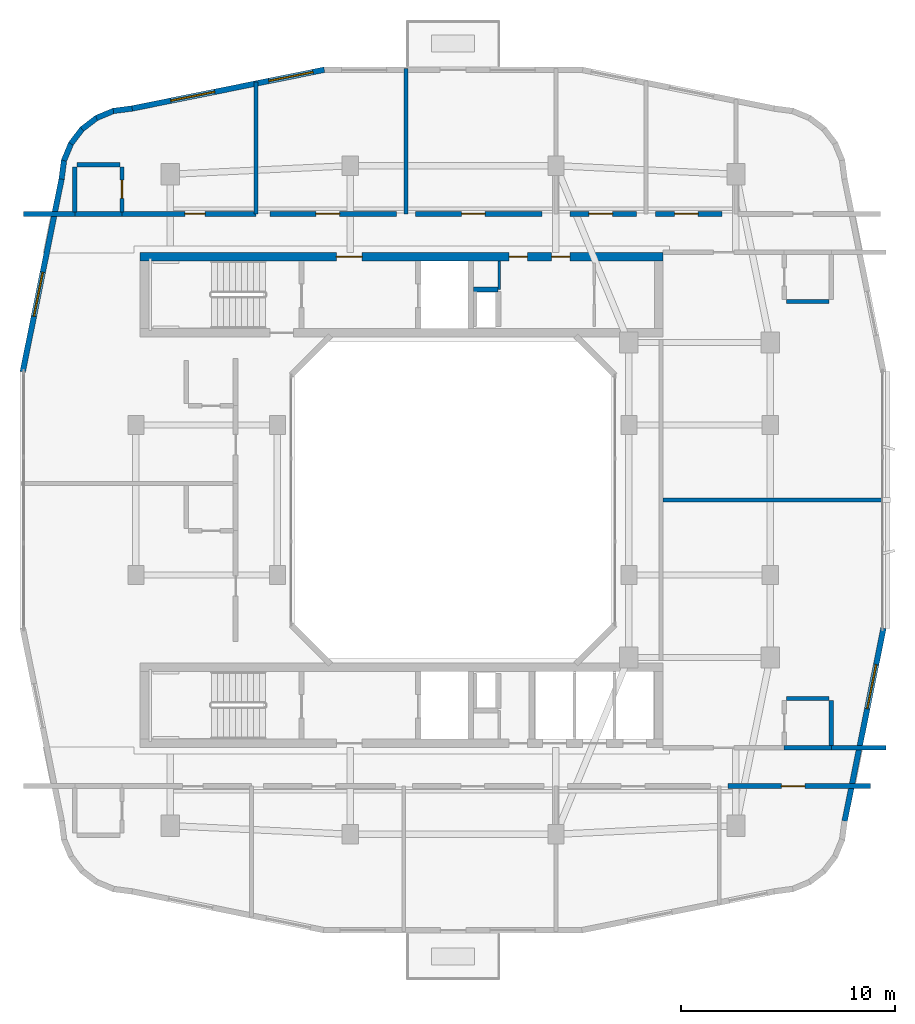
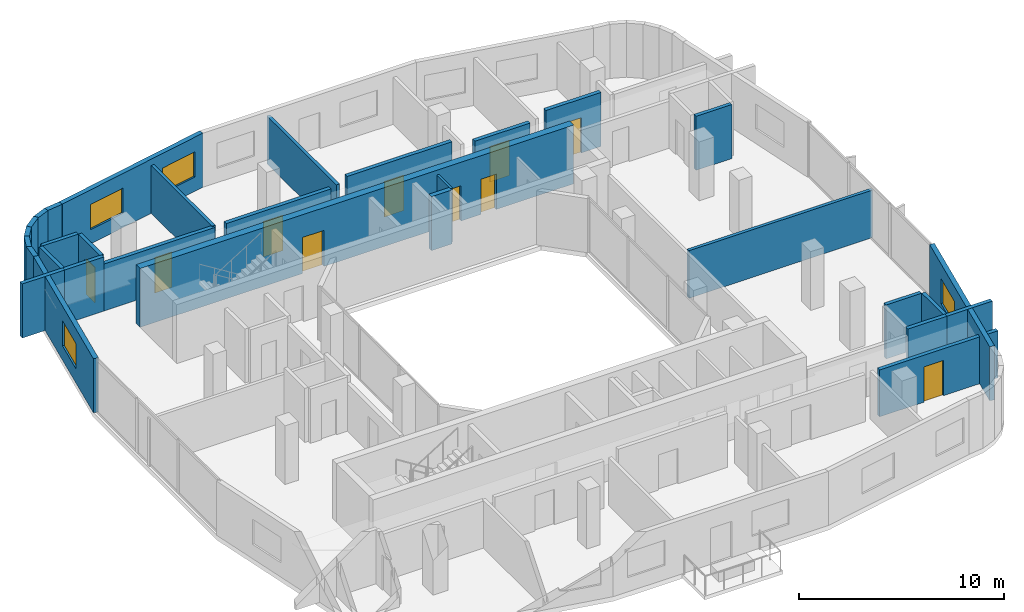
# One storey, part 7 of 12: 31 walls, 10 doors, 4 windows, 14 openings.
"""IFC4 building model written with IfcOpenShell, lengths in metres."""

from ifc_helpers import new_model, si_unit, derived_unit, direction, frame, frame_2d, origin, place, context, subcontext, project, spatial, rectangle, extrude, material, layer, layer_set, type_object, element, fill, save


model = new_model("IFC4")

# Units and contexts
model_context = context("Model", 3, precision=1e-05, world=origin(), true_north=direction((0.0, 1.0)))
body_context = subcontext(model_context, "Body", "Model", "MODEL_VIEW")
ifc_project = project(units=[si_unit("LENGTHUNIT", "METRE"), si_unit("AREAUNIT", "SQUARE_METRE"), si_unit("VOLUMEUNIT", "CUBIC_METRE"), si_unit("PLANEANGLEUNIT", "RADIAN"), si_unit("MASSUNIT", "GRAM", prefix="KILO"), derived_unit("THERMALTRANSMITTANCEUNIT", [(si_unit("POWERUNIT", "WATT"), 1), (si_unit("LENGTHUNIT", "METRE"), -2), (si_unit("THERMODYNAMICTEMPERATUREUNIT", "KELVIN"), -1)])], contexts=[model_context])

# Site, building, storey
site_placement = place(None, origin())
site = spatial("IfcSite", under=ifc_project, at=site_placement, CompositionType="ELEMENT")
building_placement = place(site_placement, origin())
building = spatial("IfcBuilding", under=site, at=building_placement, Name="Kivonza Crest Hotel", CompositionType="ELEMENT")
storey_placement = place(building_placement, frame((0.0, 0.0, 166.0)))
storey = spatial("IfcBuildingStorey", under=building, at=storey_placement, Name="L45", CompositionType="ELEMENT", Elevation=166.0)

# Walls
ifc_material_1 = material(Name="High-density acoustic masonry inter-tenancy wall", Category="masonry")
ifc_layer_1 = layer(ifc_material_1, 0.179931640625)
ifc_layer_set_1 = layer_set([ifc_layer_1], Name="High-density acoustic masonry inter-tenancy wall")
wall_type_1 = type_object("IfcWallType", Name="WL-ACOU-180", PredefinedType="SOLIDWALL", material=ifc_layer_set_1)
wall_1_placement = place(storey_placement, frame((11.800048828125, 38.35009765625, 0.0), z_axis=(0.0, 0.0, 1.0), x_axis=(0.0, 1.0, 0.0)))
element("IfcWall", 1, at=wall_1_placement, inside=storey, type_object=wall_type_1, Name="L45 interior partition WA-L45-T1N-DIV1", PredefinedType="SOLIDWALL", context=body_context, shape_type="SweptSolid", body=[
    extrude(rectangle(XDim=6.156982421875, YDim=0.179931640625, at=frame_2d((3.07861328125, 0.0))), origin(), (0.0, 0.0, 1.0), 2.8349609375),
])
wall_2_placement = place(storey_placement, frame((18.800048828125, 38.35009765625, 0.0), z_axis=(0.0, 0.0, 1.0), x_axis=(0.0, 1.0, 0.0)))
element("IfcWall", 2, at=wall_2_placement, inside=storey, type_object=wall_type_1, Name="L45 interior partition WA-L45-T1N-SPDIV1", PredefinedType="SOLIDWALL", context=body_context, shape_type="SweptSolid", body=[
    extrude(rectangle(XDim=6.789794921875, YDim=0.179931640625, at=frame_2d((3.39501953125, 0.0))), origin(), (0.0, 0.0, 1.0), 2.8349609375),
])
wall_3_placement = place(storey_placement, frame((30.800048828125, 25.0, 0.0), z_axis=(0.0, 0.0, 1.0), x_axis=(1.0, 0.0, 0.0)))
element("IfcWall", 3, at=wall_3_placement, inside=storey, type_object=wall_type_1, Name="L45 interior partition WA-L45-T1EC-DIV", PredefinedType="SOLIDWALL", context=body_context, shape_type="SweptSolid", body=[
    extrude(rectangle(XDim=10.33984375, YDim=0.179931640625, at=frame_2d((5.169921875, 0.0))), origin(), (0.0, 0.0, 1.0), 2.8349609375),
])
ifc_material_2 = material(Name="Autoclaved aerated concrete blockwork", Category="masonry")
ifc_layer_2 = layer(ifc_material_2, 0.219970703125)
ifc_layer_set_2 = layer_set([ifc_layer_2], Name="Autoclaved aerated concrete blockwork")
wall_type_2 = type_object("IfcWallType", Name="WL-ACOU-220", PredefinedType="SOLIDWALL", material=ifc_layer_set_2)
wall_4_placement = place(storey_placement, frame((0.9599609375, 38.35009765625, 0.0), z_axis=(0.0, 0.0, 1.0), x_axis=(1.0, 0.0, 0.0)))
element("IfcWall", 4, at=wall_4_placement, inside=storey, type_object=wall_type_2, Name="L45 interior partition WA-L45-N01-XCORR", PredefinedType="SOLIDWALL", context=body_context, shape_type="SweptSolid", body=[
    extrude(rectangle(XDim=2.39013671875, YDim=0.219970703125, at=frame_2d((1.195068359375, 0.0))), origin(), (0.0, 0.0, 1.0), 3.219970703125),
])
wall_5_placement = place(storey_placement, frame((3.35009765625, 38.35009765625, 0.0), z_axis=(0.0, 0.0, 1.0), x_axis=(1.0, 0.0, 0.0)))
element("IfcWall", 5, at=wall_5_placement, inside=storey, type_object=wall_type_2, Name="L45 interior partition WA-L45-N01-BCORR", PredefinedType="SOLIDWALL", context=body_context, shape_type="SweptSolid", body=[
    extrude(rectangle(XDim=2.199951171875, YDim=0.219970703125, at=frame_2d((1.10009765625, 0.0))), origin(), (0.0, 0.0, 1.0), 3.219970703125),
])

# Wall, opening, door
wall_6_placement = place(storey_placement, frame((5.550048828125, 38.35009765625, 0.0), z_axis=(0.0, 0.0, 1.0), x_axis=(1.0, 0.0, 0.0)))
wall_6 = element("IfcWall", 6, at=wall_6_placement, inside=storey, type_object=wall_type_2, Name="L45 interior partition WA-L45-N01-MCORR", PredefinedType="SOLIDWALL", context=body_context, shape_type="SweptSolid", body=[
    extrude(rectangle(XDim=6.25, YDim=0.219970703125, at=frame_2d((3.125, 0.0))), origin(), (0.0, 0.0, 1.0), 2.794921875),
])
opening_1_placement = place(wall_6_placement, frame((2.929931640625, 0.0, 0.0)))
opening_1 = element("IfcOpeningElement", 7, at=opening_1_placement, cuts=wall_6, Name="Opening DU-60", PredefinedType="OPENING", context=body_context, shape_type="SweptSolid", body=[
    extrude(rectangle(XDim=0.949951171875, YDim=2.10009765625, at=frame_2d((0.47509765625, 1.050048828125))), frame((0.0, 0.1201171875, 0.0), z_axis=(0.0, -1.0, 0.0), x_axis=(1.0, 0.0, 0.0)), (0.0, 0.0, 1.0), 0.239990234375),
])
ifc_material_3 = material(Name="Hardwood timber oak", Category="wood")
door_type_1 = type_object("IfcDoorType", Name="DR-UNIT-950", OperationType="NOTDEFINED", PredefinedType="DOOR", material=ifc_material_3)
door_1_placement = place(opening_1_placement, origin())
door_1 = element("IfcDoor", 8, at=door_1_placement, inside=storey, type_object=door_type_1, Name="L45 N01 guest unit entrance fire door", OperationType="SINGLE_SWING_LEFT", OverallHeight=2.10009765625, OverallWidth=0.949951171875, PredefinedType="DOOR", context=body_context, shape_type="SweptSolid", body=[
    extrude(rectangle(XDim=0.949951171875, YDim=2.10009765625, at=frame_2d((0.47509765625, 1.050048828125))), frame((0.0, 0.02490234375, 0.0), z_axis=(0.0, -1.0, 0.0), x_axis=(1.0, 0.0, 0.0)), (0.0, 0.0, 1.0), 0.050048828125),
])
fill(opening_1, door_1)

wall_7_placement = place(storey_placement, frame((12.449951171875, 38.35009765625, 0.0), z_axis=(0.0, 0.0, 1.0), x_axis=(1.0, 0.0, 0.0)))
wall_7 = element("IfcWall", 9, at=wall_7_placement, inside=storey, type_object=wall_type_2, Name="L45 interior partition WA-L45-Z3-NKIT1A-S", PredefinedType="SOLIDWALL", context=body_context, shape_type="SweptSolid", body=[
    extrude(rectangle(XDim=5.900146484375, YDim=0.219970703125, at=frame_2d((2.9501953125, 0.0))), origin(), (0.0, 0.0, 1.0), 2.794921875),
])
opening_2_placement = place(wall_7_placement, frame((2.14990234375, 0.0, 0.0)))
opening_2 = element("IfcOpeningElement", 10, at=opening_2_placement, cuts=wall_7, Name="Opening DF-60M", PredefinedType="OPENING", context=body_context, shape_type="SweptSolid", body=[
    extrude(rectangle(XDim=1.10009765625, YDim=2.10009765625, at=frame_2d((0.550048828125, 1.050048828125))), frame((0.0, 0.1201171875, 0.0), z_axis=(0.0, -1.0, 0.0), x_axis=(1.0, 0.0, 0.0)), (0.0, 0.0, 1.0), 0.239990234375),
])
door_type_2 = type_object("IfcDoorType", Name="DR-FD60-1100", OperationType="NOTDEFINED", PredefinedType="DOOR", material=ifc_material_3)
door_2_placement = place(opening_2_placement, origin())
door_2 = element("IfcDoor", 11, at=door_2_placement, inside=storey, type_object=door_type_2, Name="L45 Sky Culinary Tasting Kitchen door", OperationType="SINGLE_SWING_RIGHT", OverallHeight=2.10009765625, OverallWidth=1.10009765625, PredefinedType="DOOR", context=body_context, shape_type="SweptSolid", body=[
    extrude(rectangle(XDim=1.10009765625, YDim=2.10009765625, at=frame_2d((0.550048828125, 1.050048828125))), frame((0.0, 0.02490234375, 0.0), z_axis=(0.0, -1.0, 0.0), x_axis=(1.0, 0.0, 0.0)), (0.0, 0.0, 1.0), 0.050048828125),
])
fill(opening_2, door_2)

wall_8_placement = place(storey_placement, frame((19.25, 38.35009765625, 0.0), z_axis=(0.0, 0.0, 1.0), x_axis=(1.0, 0.0, 0.0)))
wall_8 = element("IfcWall", 12, at=wall_8_placement, inside=storey, type_object=wall_type_2, Name="L45 interior partition WA-L45-Z3-NKIT1B-S", PredefinedType="SOLIDWALL", context=body_context, shape_type="SweptSolid", body=[
    extrude(rectangle(XDim=5.89990234375, YDim=0.219970703125, at=frame_2d((2.949951171875, 0.0))), origin(), (0.0, 0.0, 1.0), 3.219970703125),
])
opening_3_placement = place(wall_8_placement, frame((2.14990234375, 0.0, 0.0)))
opening_3 = element("IfcOpeningElement", 13, at=opening_3_placement, cuts=wall_8, Name="Opening DF-60M", PredefinedType="OPENING", context=body_context, shape_type="SweptSolid", body=[
    extrude(rectangle(XDim=1.10009765625, YDim=2.10009765625, at=frame_2d((0.550048828125, 1.050048828125))), frame((0.0, 0.1201171875, 0.0), z_axis=(0.0, -1.0, 0.0), x_axis=(1.0, 0.0, 0.0)), (0.0, 0.0, 1.0), 0.239990234375),
])
door_3_placement = place(opening_3_placement, origin())
door_3 = element("IfcDoor", 14, at=door_3_placement, inside=storey, type_object=door_type_2, Name="L45 Sky Sommelier Pastry Kitchen door", OperationType="SINGLE_SWING_LEFT", OverallHeight=2.10009765625, OverallWidth=1.10009765625, PredefinedType="DOOR", context=body_context, shape_type="SweptSolid", body=[
    extrude(rectangle(XDim=1.10009765625, YDim=2.10009765625, at=frame_2d((0.550048828125, 1.050048828125))), frame((0.0, 0.02490234375, 0.0), z_axis=(0.0, -1.0, 0.0), x_axis=(1.0, 0.0, 0.0)), (0.0, 0.0, 1.0), 0.050048828125),
])
fill(opening_3, door_3)

wall_9_placement = place(storey_placement, frame((26.449951171875, 38.35009765625, 0.0), z_axis=(0.0, 0.0, 1.0), x_axis=(1.0, 0.0, 0.0)))
wall_9 = element("IfcWall", 15, at=wall_9_placement, inside=storey, type_object=wall_type_2, Name="L45 interior partition WA-L45-Z3-NKIT2A-S", PredefinedType="SOLIDWALL", context=body_context, shape_type="SweptSolid", body=[
    extrude(rectangle(XDim=3.10009765625, YDim=0.219970703125, at=frame_2d((1.550048828125, 0.0))), origin(), (0.0, 0.0, 1.0), 2.794921875),
])
opening_4_placement = place(wall_9_placement, frame((0.889892578125, 0.0, 0.0)))
opening_4 = element("IfcOpeningElement", 16, at=opening_4_placement, cuts=wall_9, Name="Opening DF-60M", PredefinedType="OPENING", context=body_context, shape_type="SweptSolid", body=[
    extrude(rectangle(XDim=1.10009765625, YDim=2.10009765625, at=frame_2d((0.550048828125, 1.050048828125))), frame((0.0, 0.1201171875, 0.0), z_axis=(0.0, -1.0, 0.0), x_axis=(1.0, 0.0, 0.0)), (0.0, 0.0, 1.0), 0.239990234375),
])
door_4_placement = place(opening_4_placement, origin())
door_4 = element("IfcDoor", 17, at=door_4_placement, inside=storey, type_object=door_type_2, Name="L45 Sky Culinary Tasting Kitchen door", OperationType="SINGLE_SWING_RIGHT", OverallHeight=2.10009765625, OverallWidth=1.10009765625, PredefinedType="DOOR", context=body_context, shape_type="SweptSolid", body=[
    extrude(rectangle(XDim=1.10009765625, YDim=2.10009765625, at=frame_2d((0.550048828125, 1.050048828125))), frame((0.0, 0.02490234375, 0.0), z_axis=(0.0, -1.0, 0.0), x_axis=(1.0, 0.0, 0.0)), (0.0, 0.0, 1.0), 0.050048828125),
])
fill(opening_4, door_4)

wall_10_placement = place(storey_placement, frame((30.449951171875, 38.35009765625, 0.0), z_axis=(0.0, 0.0, 1.0), x_axis=(1.0, 0.0, 0.0)))
wall_10 = element("IfcWall", 18, at=wall_10_placement, inside=storey, type_object=wall_type_2, Name="L45 interior partition WA-L45-Z3-NKIT2B-S", PredefinedType="SOLIDWALL", context=body_context, shape_type="SweptSolid", body=[
    extrude(rectangle(XDim=3.10009765625, YDim=0.219970703125, at=frame_2d((1.550048828125, 0.0))), origin(), (0.0, 0.0, 1.0), 3.219970703125),
])
opening_5_placement = place(wall_10_placement, frame((0.889892578125, 0.0, 0.0)))
opening_5 = element("IfcOpeningElement", 19, at=opening_5_placement, cuts=wall_10, Name="Opening DF-60M", PredefinedType="OPENING", context=body_context, shape_type="SweptSolid", body=[
    extrude(rectangle(XDim=1.10009765625, YDim=2.10009765625, at=frame_2d((0.550048828125, 1.050048828125))), frame((0.0, 0.1201171875, 0.0), z_axis=(0.0, -1.0, 0.0), x_axis=(1.0, 0.0, 0.0)), (0.0, 0.0, 1.0), 0.239990234375),
])
door_5_placement = place(opening_5_placement, origin())
door_5 = element("IfcDoor", 20, at=door_5_placement, inside=storey, type_object=door_type_2, Name="L45 Sky Sommelier Pastry Kitchen door", OperationType="SINGLE_SWING_LEFT", OverallHeight=2.10009765625, OverallWidth=1.10009765625, PredefinedType="DOOR", context=body_context, shape_type="SweptSolid", body=[
    extrude(rectangle(XDim=1.10009765625, YDim=2.10009765625, at=frame_2d((0.550048828125, 1.050048828125))), frame((0.0, 0.02490234375, 0.0), z_axis=(0.0, -1.0, 0.0), x_axis=(1.0, 0.0, 0.0)), (0.0, 0.0, 1.0), 0.050048828125),
])
fill(opening_5, door_5)

wall_11_placement = place(storey_placement, frame((33.820068359375, 11.64990234375, 0.0), z_axis=(0.0, 0.0, 1.0), x_axis=(1.0, 0.0, 0.0)))
wall_11 = element("IfcWall", 21, at=wall_11_placement, inside=storey, type_object=wall_type_2, Name="L45 interior partition WA-L45-Z4-SKIT2B-N", PredefinedType="SOLIDWALL", context=body_context, shape_type="SweptSolid", body=[
    extrude(rectangle(XDim=6.669921875, YDim=0.219970703125, at=frame_2d((3.3349609375, 0.0))), origin(), (0.0, 0.0, 1.0), 2.794921875),
])
opening_6_placement = place(wall_11_placement, frame((2.4970703125, 0.0, 0.0)))
opening_6 = element("IfcOpeningElement", 22, at=opening_6_placement, cuts=wall_11, Name="Opening DF-60M", PredefinedType="OPENING", context=body_context, shape_type="SweptSolid", body=[
    extrude(rectangle(XDim=1.10009765625, YDim=2.10009765625, at=frame_2d((0.550048828125, 1.050048828125))), frame((0.0, 0.1201171875, 0.0), z_axis=(0.0, -1.0, 0.0), x_axis=(1.0, 0.0, 0.0)), (0.0, 0.0, 1.0), 0.239990234375),
])
door_6_placement = place(opening_6_placement, frame((1.10009765625, 0.0, 0.0), z_axis=(0.0, 0.0, 1.0), x_axis=(-1.0, 0.0, 0.0)))
door_6 = element("IfcDoor", 23, at=door_6_placement, inside=storey, type_object=door_type_2, Name="L45 Upper Zone Beverage Tasting Kitchen door", OperationType="SINGLE_SWING_LEFT", OverallHeight=2.10009765625, OverallWidth=1.10009765625, PredefinedType="DOOR", context=body_context, shape_type="SweptSolid", body=[
    extrude(rectangle(XDim=1.10009765625, YDim=2.10009765625, at=frame_2d((0.550048828125, 1.050048828125))), frame((0.0, 0.02490234375, 0.0), z_axis=(0.0, -1.0, 0.0), x_axis=(1.0, 0.0, 0.0)), (0.0, 0.0, 1.0), 0.050048828125),
])
fill(opening_6, door_6)

# Walls
wall_12_placement = place(storey_placement, frame((38.64990234375, 13.43994140625, 0.0), z_axis=(0.0, 0.0, 1.0), x_axis=(1.0, 0.0, 0.0)))
element("IfcWall", 24, at=wall_12_placement, inside=storey, type_object=wall_type_2, Name="L45 interior partition WA-L45-ES05-XCORR", PredefinedType="SOLIDWALL", context=body_context, shape_type="SweptSolid", body=[
    extrude(rectangle(XDim=2.550048828125, YDim=0.219970703125, at=frame_2d((1.27490234375, 0.0))), origin(), (0.0, 0.0, 1.0), 3.219970703125),
])
wall_13_placement = place(storey_placement, frame((36.449951171875, 13.43994140625, 0.0), z_axis=(0.0, 0.0, 1.0), x_axis=(1.0, 0.0, 0.0)))
element("IfcWall", 25, at=wall_13_placement, inside=storey, type_object=wall_type_2, Name="L45 interior partition WA-L45-ES05-BCORR", PredefinedType="SOLIDWALL", context=body_context, shape_type="SweptSolid", body=[
    extrude(rectangle(XDim=2.199951171875, YDim=0.219970703125, at=frame_2d((1.10009765625, 0.0))), origin(), (0.0, 0.0, 1.0), 3.219970703125),
])

# Wall, openings, doors
ifc_material_4 = material(Name="Concrete C50/60", Category="concrete")
ifc_layer_3 = layer(ifc_material_4, 0.39990234375)
ifc_layer_set_3 = layer_set([ifc_layer_3], Name="Concrete C50/60")
wall_type_3 = type_object("IfcWallType", Name="WL-CORE-400", PredefinedType="SHEAR", material=ifc_layer_set_3)
wall_14_placement = place(storey_placement, frame((6.39990234375, 36.360107421875, 0.0), z_axis=(0.0, 0.0, 1.0), x_axis=(1.0, 0.0, 0.0)))
wall_14 = element("IfcWall", 26, at=wall_14_placement, inside=storey, type_object=wall_type_3, Name="Core wall T1-N North L45", PredefinedType="SHEAR", context=body_context, shape_type="SweptSolid", body=[
    extrude(rectangle(XDim=24.400146484375, YDim=0.39990234375, at=frame_2d((12.2001953125, 0.0))), origin(), (0.0, 0.0, 1.0), 3.5),
])
opening_7_placement = place(wall_14_placement, frame((9.14990234375, 0.0, 0.0)))
opening_7 = element("IfcOpeningElement", 27, at=opening_7_placement, cuts=wall_14, Name="Opening DF-60", PredefinedType="OPENING", context=body_context, shape_type="SweptSolid", body=[
    extrude(rectangle(XDim=1.199951171875, YDim=2.14990234375, at=frame_2d((0.60009765625, 1.074951171875))), frame((0.0, 0.2099609375, 0.0), z_axis=(0.0, -1.0, 0.0), x_axis=(1.0, 0.0, 0.0)), (0.0, 0.0, 1.0), 0.419921875),
])
opening_8_placement = place(wall_14_placement, frame((19.199951171875, 0.0, 0.0)))
opening_8 = element("IfcOpeningElement", 28, at=opening_8_placement, cuts=wall_14, Name="Opening DF-60R", PredefinedType="OPENING", context=body_context, shape_type="SweptSolid", body=[
    extrude(rectangle(XDim=0.85009765625, YDim=2.10009765625, at=frame_2d((0.425048828125, 1.050048828125))), frame((0.0, 0.2099609375, 0.0), z_axis=(0.0, -1.0, 0.0), x_axis=(1.0, 0.0, 0.0)), (0.0, 0.0, 1.0), 0.419921875),
])
opening_9_placement = place(wall_14_placement, frame((17.219970703125, 0.0, 0.0)))
opening_9 = element("IfcOpeningElement", 29, at=opening_9_placement, cuts=wall_14, Name="Opening DF-60R", PredefinedType="OPENING", context=body_context, shape_type="SweptSolid", body=[
    extrude(rectangle(XDim=0.85009765625, YDim=2.10009765625, at=frame_2d((0.425048828125, 1.050048828125))), frame((0.0, 0.2099609375, 0.0), z_axis=(0.0, -1.0, 0.0), x_axis=(1.0, 0.0, 0.0)), (0.0, 0.0, 1.0), 0.419921875),
])
door_type_3 = type_object("IfcDoorType", Name="DR-FD60-1200", OperationType="NOTDEFINED", PredefinedType="DOOR", material=ifc_material_3)
door_7_placement = place(opening_7_placement, origin())
door_7 = element("IfcDoor", 30, at=door_7_placement, inside=storey, type_object=door_type_3, Name="L45 T1-N firefighting lobby fire door", OperationType="SINGLE_SWING_RIGHT", OverallHeight=2.14990234375, OverallWidth=1.199951171875, PredefinedType="DOOR", context=body_context, shape_type="SweptSolid", body=[
    extrude(rectangle(XDim=1.199951171875, YDim=2.14990234375, at=frame_2d((0.60009765625, 1.074951171875))), frame((0.0, 0.02490234375, 0.0), z_axis=(0.0, -1.0, 0.0), x_axis=(1.0, 0.0, 0.0)), (0.0, 0.0, 1.0), 0.050048828125),
])
fill(opening_7, door_7)
door_type_4 = type_object("IfcDoorType", Name="DR-FD60-850", OperationType="NOTDEFINED", PredefinedType="DOOR", material=ifc_material_3)
door_8_placement = place(opening_8_placement, origin())
door_8 = element("IfcDoor", 31, at=door_8_placement, inside=storey, type_object=door_type_4, Name="L45 T1-N reclaimed core service door", OperationType="SINGLE_SWING_LEFT", OverallHeight=2.10009765625, OverallWidth=0.85009765625, PredefinedType="DOOR", context=body_context, shape_type="SweptSolid", body=[
    extrude(rectangle(XDim=0.85009765625, YDim=2.10009765625, at=frame_2d((0.425048828125, 1.050048828125))), frame((0.0, 0.02490234375, 0.0), z_axis=(0.0, -1.0, 0.0), x_axis=(1.0, 0.0, 0.0)), (0.0, 0.0, 1.0), 0.050048828125),
])
fill(opening_8, door_8)
door_9_placement = place(opening_9_placement, origin())
door_9 = element("IfcDoor", 32, at=door_9_placement, inside=storey, type_object=door_type_4, Name="L45 T1-N core room door", OperationType="SINGLE_SWING_RIGHT", OverallHeight=2.10009765625, OverallWidth=0.85009765625, PredefinedType="DOOR", context=body_context, shape_type="SweptSolid", body=[
    extrude(rectangle(XDim=0.85009765625, YDim=2.10009765625, at=frame_2d((0.425048828125, 1.050048828125))), frame((0.0, 0.02490234375, 0.0), z_axis=(0.0, -1.0, 0.0), x_axis=(1.0, 0.0, 0.0)), (0.0, 0.0, 1.0), 0.050048828125),
])
fill(opening_9, door_9)

# Wall, opening, window
ifc_material_5 = material(Name="Precast concrete C40/50", Category="concrete")
ifc_layer_4 = layer(ifc_material_5, 0.260009765625)
ifc_layer_set_4 = layer_set([ifc_layer_4], Name="Precast concrete C40/50")
wall_type_4 = type_object("IfcWallType", Name="WL-EXT-260", PredefinedType="STANDARD", material=ifc_layer_set_4)
wall_15_placement = place(storey_placement, frame((39.27099609375, 10.01806640625, 0.0), z_axis=(0.0, 0.0, 1.0), x_axis=(0.197435082048, 0.980315963543, 0.0)))
wall_15 = element("IfcWall", 33, at=wall_15_placement, inside=storey, type_object=wall_type_4, Name="L45 T1 exterior insulated wall 16", PredefinedType="STANDARD", context=body_context, shape_type="SweptSolid", body=[
    extrude(rectangle(XDim=9.1826171875, YDim=0.260009765625, at=frame_2d((4.59130859375, 0.0))), origin(), (0.0, 0.0, 1.0), 3.219970703125),
])
opening_10_placement = place(wall_15_placement, frame((5.34912109375, 0.0, 0.85009765625)))
opening_10 = element("IfcOpeningElement", 34, at=opening_10_placement, cuts=wall_15, Name="Opening WN-04", PredefinedType="OPENING", context=body_context, shape_type="SweptSolid", body=[
    extrude(rectangle(XDim=2.10009765625, YDim=1.5, at=frame_2d((1.050048828125, 0.75))), frame((0.0, 0.14013671875, 0.0), z_axis=(0.0, -1.0, 0.0), x_axis=(1.0, 0.0, 0.0)), (0.0, 0.0, 1.0), 0.280029296875),
])
ifc_material_6 = material(Name="Thermally broken bronze aluminium and low-E double glazing", Category="aluminium")
window_type = type_object("IfcWindowType", Name="WN-210x150", PartitioningType="DOUBLE_PANEL_VERTICAL", PredefinedType="WINDOW", material=ifc_material_6)
window_1_placement = place(opening_10_placement, origin())
window_1 = element("IfcWindow", 35, at=window_1_placement, inside=storey, type_object=window_type, Name="L45 T1 facade window 16", OverallHeight=1.5, OverallWidth=2.10009765625, PartitioningType="SINGLE_PANEL", PredefinedType="WINDOW", context=body_context, shape_type="SweptSolid", body=[
    extrude(rectangle(XDim=2.10009765625, YDim=1.5, at=frame_2d((1.050048828125, 0.75))), frame((0.0, 0.030029296875, 0.0), z_axis=(0.0, -1.0, 0.0), x_axis=(1.0, 0.0, 0.0)), (0.0, 0.0, 1.0), 0.06005859375),
])
fill(opening_10, window_1)

# Wall, openings, windows
wall_16_placement = place(storey_placement, frame((14.990966796875, 45.077880859375, 0.0), z_axis=(0.0, 0.0, 1.0), x_axis=(-0.980321298532, -0.197408590603, 0.0)))
wall_16 = element("IfcWall", 36, at=wall_16_placement, inside=storey, type_object=wall_type_4, Name="L45 T1 exterior insulated wall 27", PredefinedType="STANDARD", context=body_context, shape_type="SweptSolid", body=[
    extrude(rectangle(XDim=9.153076171875, YDim=0.260009765625, at=frame_2d((4.57666015625, 0.0))), origin(), (0.0, 0.0, 1.0), 3.219970703125),
])
opening_11_placement = place(wall_16_placement, frame((0.5400390625, 0.0, 0.85009765625)))
opening_11 = element("IfcOpeningElement", 37, at=opening_11_placement, cuts=wall_16, Name="Opening WN-04", PredefinedType="OPENING", context=body_context, shape_type="SweptSolid", body=[
    extrude(rectangle(XDim=2.10009765625, YDim=1.5, at=frame_2d((1.050048828125, 0.75))), frame((0.0, 0.14013671875, 0.0), z_axis=(0.0, -1.0, 0.0), x_axis=(1.0, 0.0, 0.0)), (0.0, 0.0, 1.0), 0.280029296875),
])
opening_12_placement = place(wall_16_placement, frame((5.216064453125, 0.0, 0.85009765625)))
opening_12 = element("IfcOpeningElement", 38, at=opening_12_placement, cuts=wall_16, Name="Opening WN-04", PredefinedType="OPENING", context=body_context, shape_type="SweptSolid", body=[
    extrude(rectangle(XDim=2.10009765625, YDim=1.5, at=frame_2d((1.050048828125, 0.75))), frame((0.0, 0.14013671875, 0.0), z_axis=(0.0, -1.0, 0.0), x_axis=(1.0, 0.0, 0.0)), (0.0, 0.0, 1.0), 0.280029296875),
])
window_2_placement = place(opening_11_placement, origin())
window_2 = element("IfcWindow", 39, at=window_2_placement, inside=storey, type_object=window_type, Name="L45 T1 facade window 27 bay 1", OverallHeight=1.5, OverallWidth=2.10009765625, PartitioningType="SINGLE_PANEL", PredefinedType="WINDOW", context=body_context, shape_type="SweptSolid", body=[
    extrude(rectangle(XDim=2.10009765625, YDim=1.5, at=frame_2d((1.050048828125, 0.75))), frame((0.0, 0.030029296875, 0.0), z_axis=(0.0, -1.0, 0.0), x_axis=(1.0, 0.0, 0.0)), (0.0, 0.0, 1.0), 0.06005859375),
])
fill(opening_11, window_2)
window_3_placement = place(opening_12_placement, origin())
window_3 = element("IfcWindow", 40, at=window_3_placement, inside=storey, type_object=window_type, Name="L45 T1 facade window 27 bay 2", OverallHeight=1.5, OverallWidth=2.10009765625, PartitioningType="SINGLE_PANEL", PredefinedType="WINDOW", context=body_context, shape_type="SweptSolid", body=[
    extrude(rectangle(XDim=2.10009765625, YDim=1.5, at=frame_2d((1.050048828125, 0.75))), frame((0.0, 0.030029296875, 0.0), z_axis=(0.0, -1.0, 0.0), x_axis=(1.0, 0.0, 0.0)), (0.0, 0.0, 1.0), 0.06005859375),
])
fill(opening_12, window_3)

# Walls
wall_17_placement = place(storey_placement, frame((6.02490234375, 43.27197265625, 0.0), z_axis=(0.0, 0.0, 1.0), x_axis=(-0.991388484223, -0.130953706898, 0.0)))
element("IfcWall", 41, at=wall_17_placement, inside=storey, type_object=wall_type_4, Name="L45 T1 exterior insulated wall 28", PredefinedType="STANDARD", context=body_context, shape_type="SweptSolid", body=[
    extrude(rectangle(XDim=0.885498046875, YDim=0.260009765625, at=frame_2d((0.44287109375, 0.0))), origin(), (0.0, 0.0, 1.0), 3.219970703125),
])
wall_18_placement = place(storey_placement, frame((5.193115234375, 43.174072265625, 0.0), z_axis=(0.0, 0.0, 1.0), x_axis=(-0.923627776508, -0.383290660547, 0.0)))
element("IfcWall", 42, at=wall_18_placement, inside=storey, type_object=wall_type_4, Name="L45 T1 exterior insulated wall 29", PredefinedType="STANDARD", context=body_context, shape_type="SweptSolid", body=[
    extrude(rectangle(XDim=0.9033203125, YDim=0.260009765625, at=frame_2d((0.45166015625, 0.0))), origin(), (0.0, 0.0, 1.0), 3.219970703125),
])
wall_19_placement = place(storey_placement, frame((4.39892578125, 42.85595703125, 0.0), z_axis=(0.0, 0.0, 1.0), x_axis=(-0.793458244748, -0.608624690463, 0.0)))
element("IfcWall", 43, at=wall_19_placement, inside=storey, type_object=wall_type_4, Name="L45 T1 exterior insulated wall 30", PredefinedType="STANDARD", context=body_context, shape_type="SweptSolid", body=[
    extrude(rectangle(XDim=0.902099609375, YDim=0.260009765625, at=frame_2d((0.451171875, 0.0))), origin(), (0.0, 0.0, 1.0), 3.219970703125),
])
wall_20_placement = place(storey_placement, frame((3.714111328125, 42.344970703125, 0.0), z_axis=(0.0, 0.0, 1.0), x_axis=(-0.608494022858, -0.793558456666, 0.0)))
element("IfcWall", 44, at=wall_20_placement, inside=storey, type_object=wall_type_4, Name="L45 T1 exterior insulated wall 31", PredefinedType="STANDARD", context=body_context, shape_type="SweptSolid", body=[
    extrude(rectangle(XDim=0.90234375, YDim=0.260009765625, at=frame_2d((0.451171875, 0.0))), origin(), (0.0, 0.0, 1.0), 3.219970703125),
])
wall_21_placement = place(storey_placement, frame((3.18603515625, 41.673095703125, 0.0), z_axis=(0.0, 0.0, 1.0), x_axis=(-0.383155708213, -0.923683767999, 0.0)))
element("IfcWall", 45, at=wall_21_placement, inside=storey, type_object=wall_type_4, Name="L45 T1 exterior insulated wall 32", PredefinedType="STANDARD", context=body_context, shape_type="SweptSolid", body=[
    extrude(rectangle(XDim=0.90283203125, YDim=0.260009765625, at=frame_2d((0.451416015625, 0.0))), origin(), (0.0, 0.0, 1.0), 3.219970703125),
])
wall_22_placement = place(storey_placement, frame((2.847900390625, 40.887939453125, 0.0), z_axis=(0.0, 0.0, 1.0), x_axis=(-0.130200706103, -0.991487658083, 0.0)))
element("IfcWall", 46, at=wall_22_placement, inside=storey, type_object=wall_type_4, Name="L45 T1 exterior insulated wall 33", PredefinedType="STANDARD", context=body_context, shape_type="SweptSolid", body=[
    extrude(rectangle(XDim=0.920654296875, YDim=0.260009765625, at=frame_2d((0.46044921875, 0.0))), origin(), (0.0, 0.0, 1.0), 3.219970703125),
])

# Wall, opening, window
wall_23_placement = place(storey_placement, frame((2.72900390625, 39.98193359375, 0.0), z_axis=(0.0, 0.0, 1.0), x_axis=(-0.197435082048, -0.980315963543, 0.0)))
wall_23 = element("IfcWall", 47, at=wall_23_placement, inside=storey, type_object=wall_type_4, Name="L45 T1 exterior insulated wall 34", PredefinedType="STANDARD", context=body_context, shape_type="SweptSolid", body=[
    extrude(rectangle(XDim=9.1826171875, YDim=0.260009765625, at=frame_2d((4.59130859375, 0.0))), origin(), (0.0, 0.0, 1.0), 3.219970703125),
])
opening_13_placement = place(wall_23_placement, frame((4.43603515625, 0.0, 0.85009765625)))
opening_13 = element("IfcOpeningElement", 48, at=opening_13_placement, cuts=wall_23, Name="Opening WN-04", PredefinedType="OPENING", context=body_context, shape_type="SweptSolid", body=[
    extrude(rectangle(XDim=2.10009765625, YDim=1.5, at=frame_2d((1.050048828125, 0.75))), frame((0.0, 0.14013671875, 0.0), z_axis=(0.0, -1.0, 0.0), x_axis=(1.0, 0.0, 0.0)), (0.0, 0.0, 1.0), 0.280029296875),
])
window_4_placement = place(opening_13_placement, origin())
window_4 = element("IfcWindow", 49, at=window_4_placement, inside=storey, type_object=window_type, Name="L45 T1 facade window 34", OverallHeight=1.5, OverallWidth=2.10009765625, PartitioningType="SINGLE_PANEL", PredefinedType="WINDOW", context=body_context, shape_type="SweptSolid", body=[
    extrude(rectangle(XDim=2.10009765625, YDim=1.5, at=frame_2d((1.050048828125, 0.75))), frame((0.0, 0.030029296875, 0.0), z_axis=(0.0, -1.0, 0.0), x_axis=(1.0, 0.0, 0.0)), (0.0, 0.0, 1.0), 0.06005859375),
])
fill(opening_13, window_4)

# Walls
ifc_material_7 = material(Name="Concrete blockwork fire-compartment wall", Category="masonry")
ifc_layer_5 = layer(ifc_material_7, 0.25)
ifc_layer_set_5 = layer_set([ifc_layer_5], Name="Concrete blockwork fire-compartment wall")
wall_type_5 = type_object("IfcWallType", Name="WL-FIRE-250", PredefinedType="SOLIDWALL", material=ifc_layer_set_5)
wall_24_placement = place(storey_placement, frame((21.949951171875, 34.820068359375, 0.0), z_axis=(0.0, 0.0, 1.0), x_axis=(1.0, 0.0, 0.0)))
element("IfcWall", 50, at=wall_24_placement, inside=storey, type_object=wall_type_5, Name="L45 interior partition WA-L45-T1-N-MEPR-H", PredefinedType="SOLIDWALL", context=body_context, shape_type="SweptSolid", body=[
    extrude(rectangle(XDim=1.150146484375, YDim=0.25, at=frame_2d((0.5751953125, 0.0))), origin(), (0.0, 0.0, 1.0), 3.219970703125),
])
ifc_material_8 = material(Name="Metal-stud gypsum board partition", Category="gypsum")
ifc_layer_6 = layer(ifc_material_8, 0.125)
ifc_layer_set_6 = layer_set([ifc_layer_6], Name="Metal-stud gypsum board partition")
wall_type_6 = type_object("IfcWallType", Name="WL-PART-125", PredefinedType="PARTITIONING", material=ifc_layer_set_6)
wall_25_placement = place(storey_placement, frame((23.159912109375, 34.820068359375, 0.0), z_axis=(0.0, 0.0, 1.0), x_axis=(0.0, 1.0, 0.0)))
element("IfcWall", 51, at=wall_25_placement, inside=storey, type_object=wall_type_6, Name="L45 interior partition WP-L45-T1-N-SV1V", PredefinedType="PARTITIONING", context=body_context, shape_type="SweptSolid", body=[
    extrude(rectangle(XDim=1.33984375, YDim=0.125, at=frame_2d((0.669921875, 0.0))), origin(), (0.0, 0.0, 1.0), 3.219970703125),
])

# Wall, opening, door
ifc_material_9 = material(Name="Moisture-resistant plumbing chase partition wall", Category="gypsum")
ifc_layer_7 = layer(ifc_material_9, 0.199951171875)
ifc_layer_set_7 = layer_set([ifc_layer_7], Name="Moisture-resistant plumbing chase partition wall")
wall_type_7 = type_object("IfcWallType", Name="WL-PLUMB-200", PredefinedType="PLUMBINGWALL", material=ifc_layer_set_7)
wall_26_placement = place(storey_placement, frame((5.550048828125, 38.449951171875, 0.0), z_axis=(0.0, 0.0, 1.0), x_axis=(0.0, 1.0, 0.0)))
wall_26 = element("IfcWall", 52, at=wall_26_placement, inside=storey, type_object=wall_type_7, Name="L45 interior partition WW-L45-N01-BV", PredefinedType="PLUMBINGWALL", context=body_context, shape_type="SweptSolid", body=[
    extrude(rectangle(XDim=2.10009765625, YDim=0.199951171875, at=frame_2d((1.050048828125, 0.0))), origin(), (0.0, 0.0, 1.0), 3.219970703125),
])
opening_14_placement = place(wall_26_placement, frame((0.625, 0.0, 0.0)))
opening_14 = element("IfcOpeningElement", 53, at=opening_14_placement, cuts=wall_26, Name="Opening DI-85", PredefinedType="OPENING", context=body_context, shape_type="SweptSolid", body=[
    extrude(rectangle(XDim=0.85009765625, YDim=2.10009765625, at=frame_2d((0.425048828125, 1.050048828125))), frame((0.0, 0.10986328125, 0.0), z_axis=(0.0, -1.0, 0.0), x_axis=(1.0, 0.0, 0.0)), (0.0, 0.0, 1.0), 0.219970703125),
])
door_type_5 = type_object("IfcDoorType", Name="DR-INT-850", OperationType="NOTDEFINED", PredefinedType="DOOR", material=ifc_material_3)
door_10_placement = place(opening_14_placement, frame((0.85009765625, 0.0, 0.0), z_axis=(0.0, 0.0, 1.0), x_axis=(-1.0, 0.0, 0.0)))
door_10 = element("IfcDoor", 54, at=door_10_placement, inside=storey, type_object=door_type_5, Name="L45 N01 en-suite bathroom door", OperationType="SINGLE_SWING_RIGHT", OverallHeight=2.10009765625, OverallWidth=0.85009765625, PredefinedType="DOOR", context=body_context, shape_type="SweptSolid", body=[
    extrude(rectangle(XDim=0.85009765625, YDim=2.10009765625, at=frame_2d((0.425048828125, 1.050048828125))), frame((0.0, 0.02490234375, 0.0), z_axis=(0.0, -1.0, 0.0), x_axis=(1.0, 0.0, 0.0)), (0.0, 0.0, 1.0), 0.050048828125),
])
fill(opening_14, door_10)

# Walls
wall_27_placement = place(storey_placement, frame((3.449951171875, 40.64990234375, 0.0), z_axis=(0.0, 0.0, 1.0), x_axis=(1.0, 0.0, 0.0)))
element("IfcWall", 55, at=wall_27_placement, inside=storey, type_object=wall_type_7, Name="L45 interior partition WW-L45-N01-BH", PredefinedType="PLUMBINGWALL", context=body_context, shape_type="SweptSolid", body=[
    extrude(rectangle(XDim=2.0, YDim=0.199951171875, at=frame_2d((1.0, 0.0))), origin(), (0.0, 0.0, 1.0), 3.219970703125),
])
wall_28_placement = place(storey_placement, frame((3.35009765625, 38.449951171875, 0.0), z_axis=(0.0, 0.0, 1.0), x_axis=(0.0, 1.0, 0.0)))
element("IfcWall", 56, at=wall_28_placement, inside=storey, type_object=wall_type_7, Name="L45 interior partition WW-L45-N01-BVW", PredefinedType="PLUMBINGWALL", context=body_context, shape_type="SweptSolid", body=[
    extrude(rectangle(XDim=2.10009765625, YDim=0.199951171875, at=frame_2d((1.050048828125, 0.0))), origin(), (0.0, 0.0, 1.0), 3.219970703125),
])
wall_29_placement = place(storey_placement, frame((36.550048828125, 15.739990234375, 0.0), z_axis=(0.0, 0.0, 1.0), x_axis=(1.0, 0.0, 0.0)))
element("IfcWall", 57, at=wall_29_placement, inside=storey, type_object=wall_type_7, Name="L45 interior partition WW-L45-ES05-BH", PredefinedType="PLUMBINGWALL", context=body_context, shape_type="SweptSolid", body=[
    extrude(rectangle(XDim=2.0, YDim=0.199951171875, at=frame_2d((1.0, 0.0))), origin(), (0.0, 0.0, 1.0), 3.219970703125),
])
wall_30_placement = place(storey_placement, frame((38.64990234375, 13.5400390625, 0.0), z_axis=(0.0, 0.0, 1.0), x_axis=(0.0, 1.0, 0.0)))
element("IfcWall", 58, at=wall_30_placement, inside=storey, type_object=wall_type_7, Name="L45 interior partition WW-L45-ES05-BVE", PredefinedType="PLUMBINGWALL", context=body_context, shape_type="SweptSolid", body=[
    extrude(rectangle(XDim=2.099853515625, YDim=0.199951171875, at=frame_2d((1.0498046875, 0.0))), origin(), (0.0, 0.0, 1.0), 3.219970703125),
])
wall_31_placement = place(storey_placement, frame((36.550048828125, 34.260009765625, 0.0), z_axis=(0.0, 0.0, 1.0), x_axis=(1.0, 0.0, 0.0)))
element("IfcWall", 59, at=wall_31_placement, inside=storey, type_object=wall_type_7, Name="L45 interior partition WW-L45-EN06-BH", PredefinedType="PLUMBINGWALL", context=body_context, shape_type="SweptSolid", body=[
    extrude(rectangle(XDim=2.0, YDim=0.199951171875, at=frame_2d((1.0, 0.0))), origin(), (0.0, 0.0, 1.0), 3.219970703125),
])

save(model, "model.ifc")
